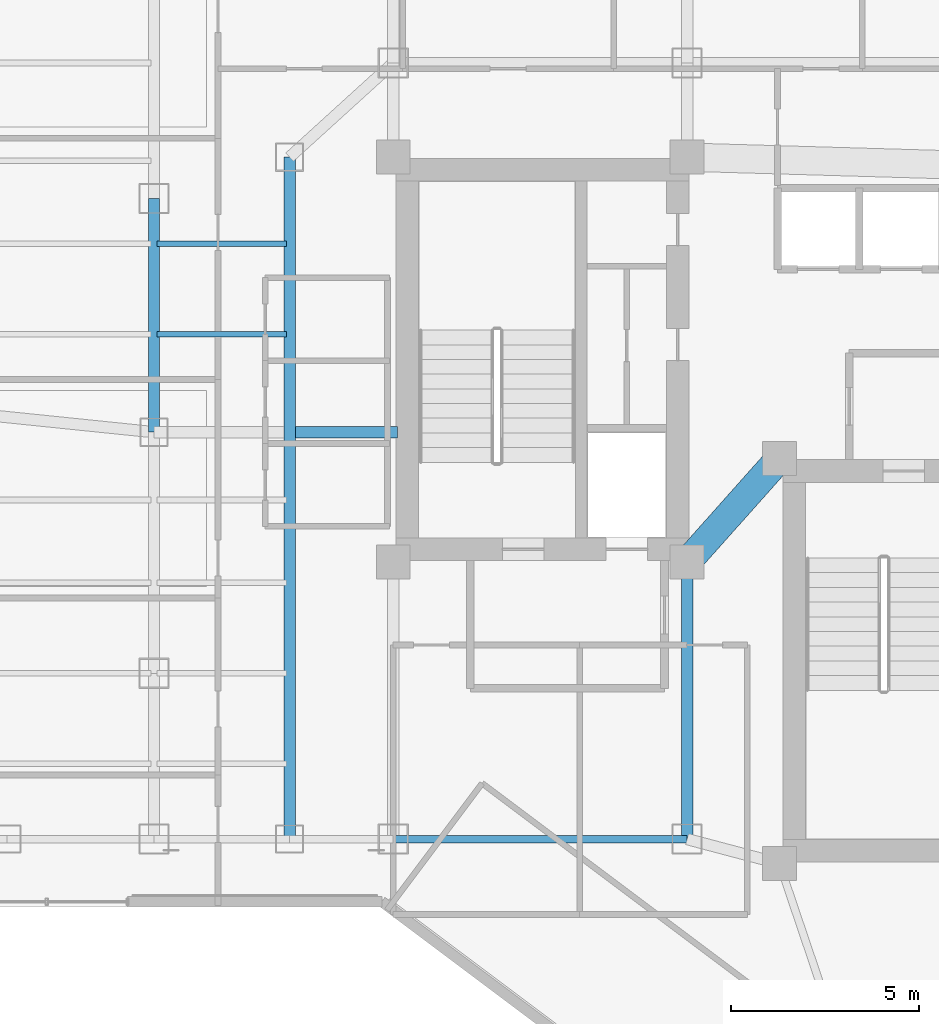
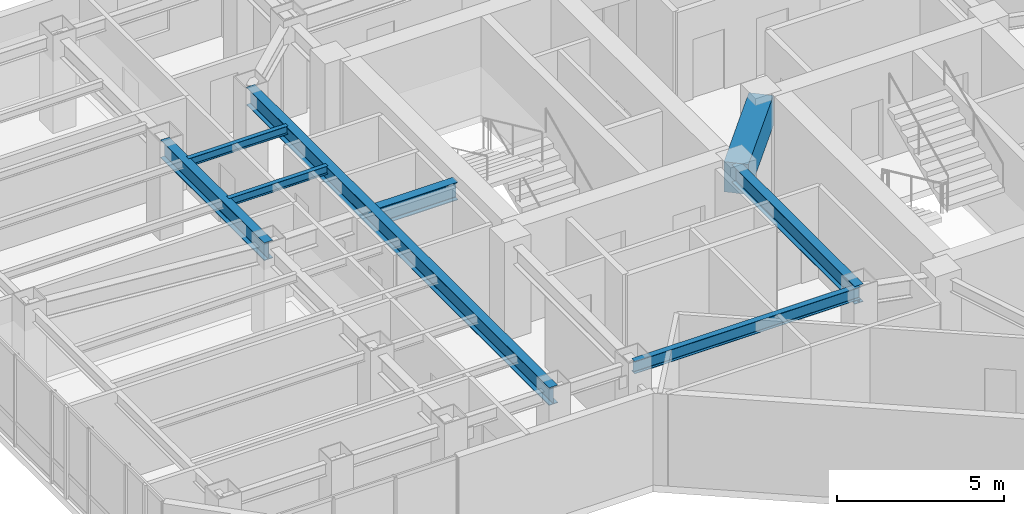
# One storey, part 9 of 27: 8 beams.
"""IFC4 building model written with IfcOpenShell, lengths in metres."""

from ifc_helpers import new_model, si_unit, direction, frame, origin, origin_2d, place, context, subcontext, project, spatial, rectangle, i_section, extrude, material, material_profile, profile_set, type_object, element, save


model = new_model("IFC4")

# Units and contexts
model_context = context("Model", 3, precision=1e-05, world=origin(), true_north=direction((0.0, 1.0)))
body_context = subcontext(model_context, "Body", "Model", "MODEL_VIEW")
ifc_project = project(units=[si_unit("LENGTHUNIT", "METRE"), si_unit("AREAUNIT", "SQUARE_METRE"), si_unit("VOLUMEUNIT", "CUBIC_METRE"), si_unit("PLANEANGLEUNIT", "RADIAN"), si_unit("MASSUNIT", "GRAM", prefix="KILO")], contexts=[model_context])

# Site, building, storey
site_placement = place(None, origin())
site = spatial("IfcSite", under=ifc_project, at=site_placement, CompositionType="ELEMENT")
building_placement = place(site_placement, origin())
building = spatial("IfcBuilding", under=site, at=building_placement, Name="Hatsunagi Terrace Concourse", CompositionType="ELEMENT")
storey_placement = place(building_placement, frame((0.0, 0.0, 163.64990234375)))
storey = spatial("IfcBuildingStorey", under=building, at=storey_placement, Name="L43", CompositionType="ELEMENT", Elevation=163.64990234375)

# Beams
ifc_material_1 = material(Name="Concrete Fc48", Category="concrete")
ifc_material_profile_1 = material_profile(ifc_material_1, rectangle(XDim=0.75, YDim=1.10009765625, at=origin_2d()), Name="RC-750x1100")
ifc_profile_set_1 = profile_set([ifc_material_profile_1], Name="Concrete Fc48")
beam_type_1 = type_object("IfcBeamType", Name="CoreCouplingBeam_RC_750x1100", PredefinedType="BEAM", material=ifc_profile_set_1)
beam_1_placement = place(storey_placement, frame((33.35009765625, 32.550048828125, 2.800048828125), z_axis=(0.665198651008, 0.746666427997, 0.0), x_axis=(-0.746666427997, 0.665198651008, 0.0)))
element("IfcBeam", 1, at=beam_1_placement, inside=storey, type_object=beam_type_1, Name="Beam CB-02 CB-L43-1", PredefinedType="BEAM", context=body_context, shape_type="SweptSolid", body=[
    extrude(rectangle(XDim=0.75, YDim=1.10009765625, at=origin_2d()), origin(), (0.0, 0.0, 1.0), 3.68310546875),
])
ifc_material_2 = material(Name="Steel SN490B", Category="steel")
ifc_material_profile_2 = material_profile(ifc_material_2, i_section(OverallWidth=0.14990234375, OverallDepth=0.300048828125, WebThickness=0.006591796875, FlangeThickness=0.009033203125, FilletRadius=0.010986328125, at=origin_2d()), Name="H-300x150x6.5x9")
ifc_profile_set_2 = profile_set([ifc_material_profile_2], Name="Steel SN490B")
beam_type_2 = type_object("IfcBeamType", Name="OfficeJoist_H_300x150", PredefinedType="JOIST", material=ifc_profile_set_2)
for number, where, z_axis, x_axis, name in (
    (2, (19.284912109375, 38.60009765625, 3.2001953125), (1.0, 0.0, 0.0), (0.0, 1.0, 0.0), "Beam J-03 J-L43-W-19-386"),
    (3, (19.284912109375, 41.0, 3.2001953125), (1.0, 0.0, 0.0), (0.0, 1.0, 0.0), "Beam J-03 J-L43-W-19-410"),
):
    element("IfcBeam", number, at=place(storey_placement, frame(where, z_axis=z_axis, x_axis=x_axis)), inside=storey, type_object=beam_type_2, Name=name, PredefinedType="JOIST", context=body_context, shape_type="SweptSolid", body=[
        extrude(i_section(OverallWidth=0.14990234375, OverallDepth=0.300048828125, WebThickness=0.006591796875, FlangeThickness=0.009033203125, FilletRadius=0.010986328125, at=origin_2d()), origin(), (0.0, 0.0, 1.0), 3.43017578125),
    ])
ifc_material_3 = material(Name="Steel SN490B", Category="steel")
ifc_material_profile_3 = material_profile(ifc_material_3, i_section(OverallWidth=0.300048828125, OverallDepth=0.64990234375, WebThickness=0.012939453125, FlangeThickness=0.02197265625, FilletRadius=0.01806640625, at=origin_2d()), Name="H-650x300x13x22")
ifc_profile_set_3 = profile_set([ifc_material_profile_3], Name="Steel SN490B")
beam_type_3 = type_object("IfcBeamType", Name="OfficeLowGirder_H_650x300", PredefinedType="BEAM", material=ifc_profile_set_3)
beam_2_placement = place(storey_placement, frame((33.35009765625, 25.199951171875, 3.025146484375), z_axis=(0.0, 1.0, 0.0), x_axis=(-1.0, 0.0, 0.0)))
element("IfcBeam", 4, at=beam_2_placement, inside=storey, type_object=beam_type_3, Name="Beam G-05 BM-L43-K2CA", PredefinedType="BEAM", context=body_context, shape_type="SweptSolid", body=[
    extrude(i_section(OverallWidth=0.300048828125, OverallDepth=0.64990234375, WebThickness=0.012939453125, FlangeThickness=0.02197265625, FilletRadius=0.01806640625, at=origin_2d()), origin(), (0.0, 0.0, 1.0), 7.35009765625),
])
beam_3_placement = place(storey_placement, frame((22.800048828125, 25.199951171875, 3.025146484375), z_axis=(0.0, 1.0, 0.0), x_axis=(-1.0, 0.0, 0.0)))
element("IfcBeam", 5, at=beam_3_placement, inside=storey, type_object=beam_type_3, Name="Beam G-05 BM-L43-CWNS", PredefinedType="BEAM", context=body_context, shape_type="SweptSolid", body=[
    extrude(i_section(OverallWidth=0.300048828125, OverallDepth=0.64990234375, WebThickness=0.012939453125, FlangeThickness=0.02197265625, FilletRadius=0.01806640625, at=origin_2d()), origin(), (0.0, 0.0, 1.0), 18.10009765625),
])
beam_4_placement = place(storey_placement, frame((19.199951171875, 36.0, 3.025146484375), z_axis=(0.0, 1.0, 0.0), x_axis=(-1.0, 0.0, 0.0)))
element("IfcBeam", 6, at=beam_4_placement, inside=storey, type_object=beam_type_3, Name="Beam G-05 BM-L43-NS-19-36", PredefinedType="BEAM", context=body_context, shape_type="SweptSolid", body=[
    extrude(i_section(OverallWidth=0.300048828125, OverallDepth=0.64990234375, WebThickness=0.012939453125, FlangeThickness=0.02197265625, FilletRadius=0.01806640625, at=origin_2d()), origin(), (0.0, 0.0, 1.0), 6.199951171875),
])
beam_5_placement = place(storey_placement, frame((22.949951171875, 36.0, 3.025146484375), z_axis=(1.0, 0.0, 0.0), x_axis=(0.0, 1.0, 0.0)))
element("IfcBeam", 7, at=beam_5_placement, inside=storey, type_object=beam_type_3, Name="Beam G-05 BM-L43-EW-4", PredefinedType="BEAM", context=body_context, shape_type="SweptSolid", body=[
    extrude(i_section(OverallWidth=0.300048828125, OverallDepth=0.64990234375, WebThickness=0.012939453125, FlangeThickness=0.02197265625, FilletRadius=0.01806640625, at=origin_2d()), origin(), (0.0, 0.0, 1.0), 2.7099609375),
])
ifc_material_4 = material(Name="Steel SN490B", Category="steel")
ifc_material_profile_4 = material_profile(ifc_material_4, i_section(OverallWidth=0.199951171875, OverallDepth=0.449951171875, WebThickness=0.009033203125, FlangeThickness=0.013916015625, FilletRadius=0.01611328125, at=origin_2d()), Name="H-450x200x9x14")
ifc_profile_set_4 = profile_set([ifc_material_profile_4], Name="Steel SN490B")
beam_type_4 = type_object("IfcBeamType", Name="PerimeterSpandrel_H_450x200", PredefinedType="SPANDREL", material=ifc_profile_set_4)
beam_6_placement = place(storey_placement, frame((25.550048828125, 25.199951171875, 3.125), z_axis=(1.0, 0.0, 0.0), x_axis=(0.0, 1.0, 0.0)))
element("IfcBeam", 8, at=beam_6_placement, inside=storey, type_object=beam_type_4, Name="Beam SP-02 BM-L43-WS-25", PredefinedType="SPANDREL", context=body_context, shape_type="SweptSolid", body=[
    extrude(i_section(OverallWidth=0.199951171875, OverallDepth=0.449951171875, WebThickness=0.009033203125, FlangeThickness=0.013916015625, FilletRadius=0.01611328125, at=origin_2d()), origin(), (0.0, 0.0, 1.0), 7.800048828125),
])

save(model, "model.ifc")
